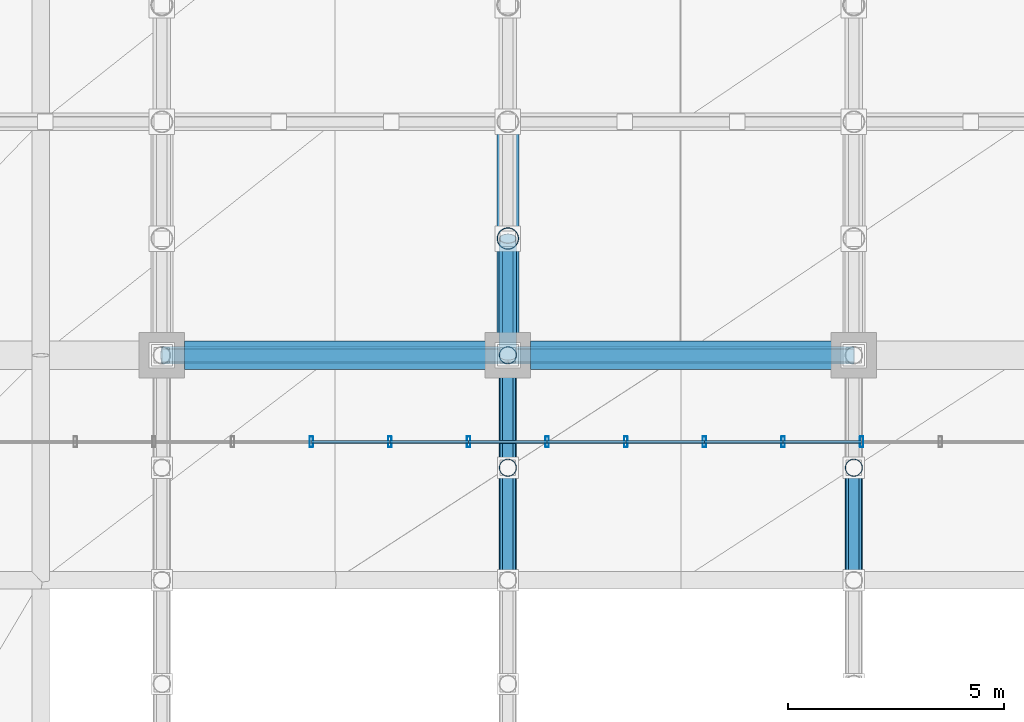
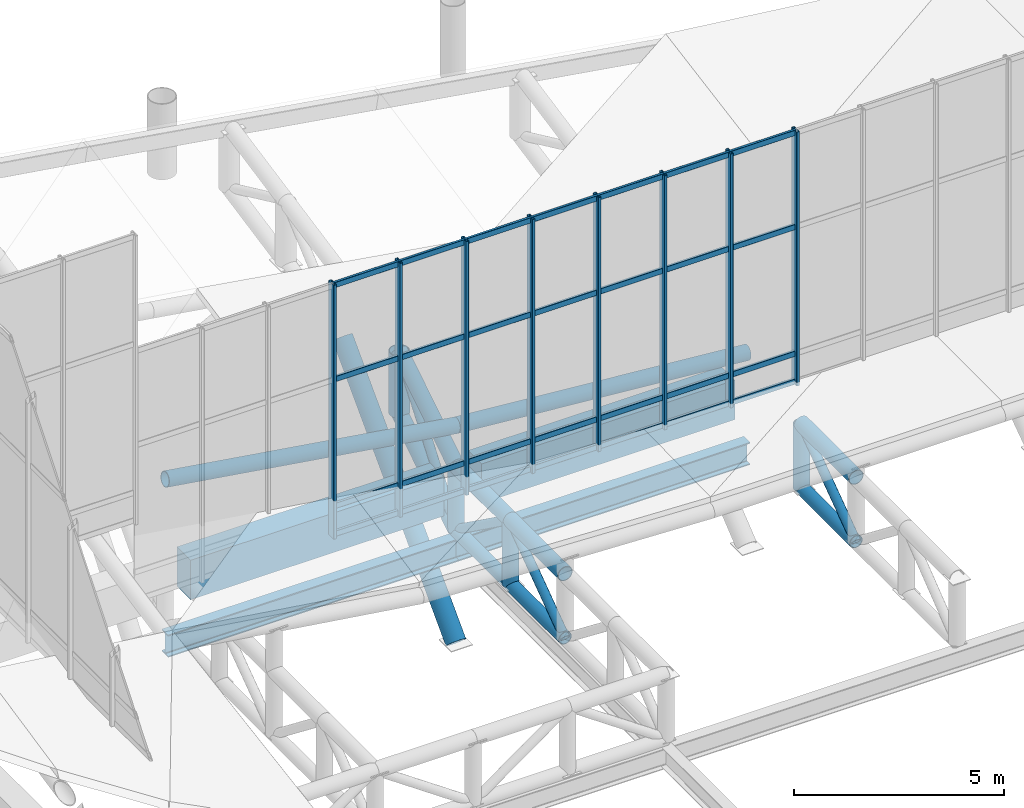
# One storey, part 46 of 137: 55 members, 4 beams, 1 element without a shape of its own.
"""IFC4 building model written with IfcOpenShell, lengths in metres."""

from ifc_helpers import new_model, si_unit, direction, frame, origin, origin_2d, place, context, subcontext, project, spatial, rectangle, hollow_rectangle, hollow_circle, i_section, extrude, material, layer, layer_set, material_profile, profile_set, type_object, element, aggregate, save


model = new_model("IFC4")

# Units and contexts
model_context = context("Model", 3, precision=1e-05, world=origin(), true_north=direction((0.0, 1.0)))
body_context = subcontext(model_context, "Body", "Model", "MODEL_VIEW")
ifc_project = project(units=[si_unit("LENGTHUNIT", "METRE"), si_unit("AREAUNIT", "SQUARE_METRE"), si_unit("VOLUMEUNIT", "CUBIC_METRE"), si_unit("PLANEANGLEUNIT", "RADIAN"), si_unit("MASSUNIT", "GRAM", prefix="KILO")], contexts=[model_context])

# Site, building, storey
site_placement = place(None, origin())
site = spatial("IfcSite", under=ifc_project, at=site_placement, CompositionType="ELEMENT")
building_placement = place(site_placement, origin())
building = spatial("IfcBuilding", under=site, at=building_placement, Name="Khorjan Park Terminus", CompositionType="ELEMENT")
storey_placement = place(building_placement, frame((0.0, 0.0, 11.4)))
storey = spatial("IfcBuildingStorey", under=building, at=storey_placement, Name="L02", CompositionType="ELEMENT", Elevation=11.4)

# Members
ifc_material_1 = material(Name="Steel S355", Category="steel")
ifc_material_profile_1 = material_profile(ifc_material_1, hollow_circle(Radius=0.1222, WallThickness=0.0125, at=origin_2d()), Name="CHS 244.5x12.5")
ifc_profile_set_1 = profile_set([ifc_material_profile_1], Name="Steel S355")
member_type_1 = type_object("IfcMemberType", Name="MB-BR-245", PredefinedType="BRACE", material=ifc_profile_set_1)
for number, where, z_axis, x_axis, name in (
    (1, (64.0, 82.8, -1.92), (0.0, 0.811830357573, 0.583893372562), (-1.0, 0.0, 0.0), "Lower shell cantilever truss diagonal (3N)"),
    (2, (64.0, 85.4, -0.05), (0.0, 0.811830357573, -0.583893372562), (-1.0, 0.0, 0.0), "Lower shell cantilever truss diagonal (3N)"),
    (3, (72.0, 82.8, -1.92), (0.0, 0.811830357573, 0.583893372562), (-1.0, 0.0, 0.0), "Lower shell cantilever truss diagonal (4N)"),
):
    element("IfcMember", number, at=place(storey_placement, frame(where, z_axis=z_axis, x_axis=x_axis)), inside=storey, type_object=member_type_1, Name=name, PredefinedType="BRACE", context=body_context, shape_type="SweptSolid", body=[
        extrude(hollow_circle(Radius=0.1222, WallThickness=0.0125, at=origin_2d()), origin(), (0.0, 0.0, 1.0), 3.2026),
    ])
ifc_material_profile_2 = material_profile(ifc_material_1, hollow_circle(Radius=0.1222, WallThickness=0.0125, at=origin_2d()), Name="CHS 244.5x12.5")
ifc_profile_set_2 = profile_set([ifc_material_profile_2], Name="Steel S355")
member_type_2 = type_object("IfcMemberType", Name="MB-BRE-245", PredefinedType="BRACE", material=ifc_profile_set_2)
member_1_placement = place(storey_placement, frame((64.0, 88.0, -1.92), z_axis=(0.0, 0.602965135538, 0.797767538401), x_axis=(-1.0, 0.0, 0.0)))
element("IfcMember", 4, at=member_1_placement, inside=storey, type_object=member_type_2, Name="Lower shell cantilever truss diagonal (3N)", PredefinedType="BRACE", context=body_context, shape_type="SweptSolid", body=[
    extrude(hollow_circle(Radius=0.1222, WallThickness=0.0125, at=origin_2d()), origin(), (0.0, 0.0, 1.0), 4.4779),
])
ifc_material_profile_3 = material_profile(ifc_material_1, hollow_circle(Radius=0.1778, WallThickness=0.016, at=origin_2d()), Name="CHS 355.6x16")
ifc_profile_set_3 = profile_set([ifc_material_profile_3], Name="Steel S355")
member_type_3 = type_object("IfcMemberType", Name="MB-CH-356", PredefinedType="CHORD", material=ifc_profile_set_3)
for number, where, z_axis, x_axis, name in (
    (5, (64.0, 82.8, -1.92), (0.0, 1.0, 0.0), (-1.0, 0.0, 0.0), "Lower shell cantilever truss bottom chord (3N)"),
    (6, (64.0, 85.4, -1.92), (0.0, 1.0, 0.0), (-1.0, 0.0, 0.0), "Lower shell cantilever truss bottom chord (3N)"),
    (7, (72.0, 82.8, -1.92), (0.0, 1.0, 0.0), (-1.0, 0.0, 0.0), "Lower shell cantilever truss bottom chord (4N)"),
):
    element("IfcMember", number, at=place(storey_placement, frame(where, z_axis=z_axis, x_axis=x_axis)), inside=storey, type_object=member_type_3, Name=name, PredefinedType="CHORD", context=body_context, shape_type="SweptSolid", body=[
        extrude(hollow_circle(Radius=0.1778, WallThickness=0.016, at=origin_2d()), origin(), (0.0, 0.0, 1.0), 2.6),
    ])
ifc_material_profile_4 = material_profile(ifc_material_1, hollow_circle(Radius=0.2032, WallThickness=0.016, at=origin_2d()), Name="CHS 406.4x16")
ifc_profile_set_4 = profile_set([ifc_material_profile_4], Name="Steel S355")
member_type_4 = type_object("IfcMemberType", Name="MB-CH-406", PredefinedType="CHORD", material=ifc_profile_set_4)
for number, where, z_axis, x_axis, name in (
    (8, (64.0, 82.8, -0.05), (0.0, 1.0, 0.0), (-1.0, 0.0, 0.0), "Lower shell cantilever truss top chord (3N)"),
    (9, (64.0, 85.4, -0.05), (0.0, 1.0, 0.0), (-1.0, 0.0, 0.0), "Lower shell cantilever truss top chord (3N)"),
    (10, (72.0, 82.8, -0.05), (0.0, 1.0, 0.0), (-1.0, 0.0, 0.0), "Lower shell cantilever truss top chord (4N)"),
):
    element("IfcMember", number, at=place(storey_placement, frame(where, z_axis=z_axis, x_axis=x_axis)), inside=storey, type_object=member_type_4, Name=name, PredefinedType="CHORD", context=body_context, shape_type="SweptSolid", body=[
        extrude(hollow_circle(Radius=0.2032, WallThickness=0.016, at=origin_2d()), origin(), (0.0, 0.0, 1.0), 2.6),
    ])
ifc_material_profile_5 = material_profile(ifc_material_1, hollow_circle(Radius=0.2032, WallThickness=0.016, at=origin_2d()), Name="CHS 406.4x16")
ifc_profile_set_5 = profile_set([ifc_material_profile_5], Name="Steel S355")
member_type_5 = type_object("IfcMemberType", Name="MB-CHE-406", PredefinedType="CHORD", material=ifc_profile_set_5)
member_2_placement = place(storey_placement, frame((56.0, 88.0, 2.3441), z_axis=(0.988324662192, 0.0, -0.152362600735), x_axis=(0.0, 1.0, 0.0)))
element("IfcMember", 11, at=member_2_placement, inside=storey, type_object=member_type_5, Name="Lower wrapping shell rim chord (108)", PredefinedType="CHORD", context=body_context, shape_type="SweptSolid", body=[
    extrude(hollow_circle(Radius=0.2032, WallThickness=0.016, at=origin_2d()), origin(), (0.0, 0.0, 1.0), 8.0945),
])
member_3_placement = place(storey_placement, frame((64.0, 88.0, 1.1108), z_axis=(0.996406958115, 0.0, -0.08469459144), x_axis=(0.0, 1.0, 0.0)))
element("IfcMember", 12, at=member_3_placement, inside=storey, type_object=member_type_5, Name="Lower wrapping shell rim chord (109)", PredefinedType="CHORD", context=body_context, shape_type="SweptSolid", body=[
    extrude(hollow_circle(Radius=0.2032, WallThickness=0.016, at=origin_2d()), origin(), (0.0, 0.0, 1.0), 8.0288),
])
member_4_placement = place(storey_placement, frame((64.0, 88.0, -0.05), z_axis=(0.0, 0.845907781047, 0.533329190991), x_axis=(-1.0, 0.0, 0.0)))
element("IfcMember", 13, at=member_4_placement, inside=storey, type_object=member_type_5, Name="Lower shell cantilever truss top chord (3N)", PredefinedType="CHORD", context=body_context, shape_type="SweptSolid", body=[
    extrude(hollow_circle(Radius=0.2032, WallThickness=0.016, at=origin_2d()), origin(), (0.0, 0.0, 1.0), 3.1918),
])
member_5_placement = place(storey_placement, frame((64.0, 88.0, -1.92), z_axis=(0.0, 0.83598754475, 0.548748416874), x_axis=(-1.0, 0.0, 0.0)))
element("IfcMember", 14, at=member_5_placement, inside=storey, type_object=member_type_5, Name="Lower shell cantilever truss bottom chord (3N)", PredefinedType="CHORD", context=body_context, shape_type="SweptSolid", body=[
    extrude(hollow_circle(Radius=0.2032, WallThickness=0.016, at=origin_2d()), origin(), (0.0, 0.0, 1.0), 3.2297),
])
ifc_material_profile_6 = material_profile(ifc_material_1, hollow_circle(Radius=0.2032, WallThickness=0.016, at=origin_2d()), Name="CHS 406.4x16")
ifc_profile_set_6 = profile_set([ifc_material_profile_6], Name="Steel S355")
member_type_6 = type_object("IfcMemberType", Name="MB-ST-406", PredefinedType="STRUT", material=ifc_profile_set_6)
for number, where, z_axis, x_axis, name in (
    (15, (64.0, 85.4, -1.92), (0.0, 0.0, 1.0), (1.0, 0.0, 0.0), "Lower shell cantilever truss post (3N)"),
    (16, (64.0, 88.0, -1.92), (0.0, 0.0, 1.0), (1.0, 0.0, 0.0), "Lower shell cantilever truss post (3N)"),
    (17, (72.0, 85.4, -1.92), (0.0, 0.0, 1.0), (1.0, 0.0, 0.0), "Lower shell cantilever truss post (4N)"),
):
    element("IfcMember", number, at=place(storey_placement, frame(where, z_axis=z_axis, x_axis=x_axis)), inside=storey, type_object=member_type_6, Name=name, PredefinedType="STRUT", context=body_context, shape_type="SweptSolid", body=[
        extrude(hollow_circle(Radius=0.2032, WallThickness=0.016, at=origin_2d()), origin(), (0.0, 0.0, 1.0), 1.87),
    ])
ifc_material_profile_7 = material_profile(ifc_material_1, hollow_circle(Radius=0.254, WallThickness=0.02, at=origin_2d()), Name="CHS 508x20")
ifc_profile_set_7 = profile_set([ifc_material_profile_7], Name="Steel S355")
member_type_7 = type_object("IfcMemberType", Name="MB-STE-508", PredefinedType="STRUT", material=ifc_profile_set_7)
member_6_placement = place(storey_placement, frame((64.0, 90.7, -0.1477), z_axis=(0.0, 0.0, 1.0), x_axis=(1.0, 0.0, 0.0)))
element("IfcMember", 18, at=member_6_placement, inside=storey, type_object=member_type_7, Name="Lower shell cantilever truss post (3N)", PredefinedType="STRUT", context=body_context, shape_type="SweptSolid", body=[
    extrude(hollow_circle(Radius=0.254, WallThickness=0.02, at=origin_2d()), origin(), (0.0, 0.0, 1.0), 1.8),
])
member_7_placement = place(storey_placement, frame((64.0, 88.0, -5.2), z_axis=(0.0, 0.694533914635, 0.719459965127), x_axis=(-1.0, 0.0, 0.0)))
element("IfcMember", 19, at=member_7_placement, inside=storey, type_object=member_type_7, Name="Lower shell raked overhang V-strut STE-51 (3N)", PredefinedType="STRUT", context=body_context, shape_type="SweptSolid", body=[
    extrude(hollow_circle(Radius=0.254, WallThickness=0.02, at=origin_2d()), origin(), (0.0, 0.0, 1.0), 7.775),
])

# Curtain wall, members
ifc_material_2 = material(Name="Anodized Bronze Aluminium", Category="aluminium")
ifc_layer = layer(ifc_material_2, 0.22)
ifc_layer_set = layer_set([ifc_layer], Name="Anodized Bronze Aluminium")
curtain_wall_type = type_object("IfcCurtainWallType", Name="CW-CONC-CLR", PredefinedType="NOTDEFINED", material=ifc_layer_set)
curtain_wall_placement = place(storey_placement, origin())
curtain_wall = element("IfcCurtainWall", 20, at=curtain_wall_placement, inside=storey, type_object=curtain_wall_type, Name="Unitized curtain wall CW-CL (CW-V2-N-CLR-02)", PredefinedType="NOTDEFINED")
ifc_material_profile_8 = material_profile(ifc_material_2, hollow_rectangle(XDim=0.08, YDim=0.25, WallThickness=0.005, InnerFilletRadius=0.005, OuterFilletRadius=0.01, at=origin_2d()), Name="ALM 80x250x5")
ifc_profile_set_8 = profile_set([ifc_material_profile_8], Name="Anodized Bronze Aluminium")
member_type_8 = type_object("IfcMemberType", Name="ML-ALM-250", PredefinedType="MULLION", material=ifc_profile_set_8)
member_8_placement = place(storey_placement, frame((72.1818, 86.0, 0.6813), z_axis=(0.0, 0.0, 1.0), x_axis=(-1.0, 0.0, 0.0)))
member_8 = element("IfcMember", 21, at=member_8_placement, type_object=member_type_8, Name="Curtain-wall mullion ML-25 (CW-V2-N-CLR-02-1)", PredefinedType="MULLION", context=body_context, shape_type="SweptSolid", body=[
    extrude(hollow_rectangle(XDim=0.08, YDim=0.25, WallThickness=0.005, InnerFilletRadius=0.005, OuterFilletRadius=0.01, at=origin_2d()), origin(), (0.0, 0.0, 1.0), 7.382),
])
member_9_placement = place(storey_placement, frame((70.3636, 86.0, 0.6813), z_axis=(0.0, 0.0, 1.0), x_axis=(-1.0, 0.0, 0.0)))
member_9 = element("IfcMember", 22, at=member_9_placement, type_object=member_type_8, Name="Curtain-wall mullion ML-25 (CW-V2-N-CLR-02-2)", PredefinedType="MULLION", context=body_context, shape_type="SweptSolid", body=[
    extrude(hollow_rectangle(XDim=0.08, YDim=0.25, WallThickness=0.005, InnerFilletRadius=0.005, OuterFilletRadius=0.01, at=origin_2d()), origin(), (0.0, 0.0, 1.0), 7.382),
])
member_10_placement = place(storey_placement, frame((68.5455, 86.0, 0.6813), z_axis=(0.0, 0.0, 1.0), x_axis=(-1.0, 0.0, 0.0)))
member_10 = element("IfcMember", 23, at=member_10_placement, type_object=member_type_8, Name="Curtain-wall mullion ML-25 (CW-V2-N-CLR-02-3)", PredefinedType="MULLION", context=body_context, shape_type="SweptSolid", body=[
    extrude(hollow_rectangle(XDim=0.08, YDim=0.25, WallThickness=0.005, InnerFilletRadius=0.005, OuterFilletRadius=0.01, at=origin_2d()), origin(), (0.0, 0.0, 1.0), 7.382),
])
member_11_placement = place(storey_placement, frame((66.7273, 86.0, 0.6813), z_axis=(0.0, 0.0, 1.0), x_axis=(-1.0, 0.0, 0.0)))
member_11 = element("IfcMember", 24, at=member_11_placement, type_object=member_type_8, Name="Curtain-wall mullion ML-25 (CW-V2-N-CLR-02-4)", PredefinedType="MULLION", context=body_context, shape_type="SweptSolid", body=[
    extrude(hollow_rectangle(XDim=0.08, YDim=0.25, WallThickness=0.005, InnerFilletRadius=0.005, OuterFilletRadius=0.01, at=origin_2d()), origin(), (0.0, 0.0, 1.0), 7.382),
])
member_12_placement = place(storey_placement, frame((64.9091, 86.0, 0.6813), z_axis=(0.0, 0.0, 1.0), x_axis=(-1.0, 0.0, 0.0)))
member_12 = element("IfcMember", 25, at=member_12_placement, type_object=member_type_8, Name="Curtain-wall mullion ML-25 (CW-V2-N-CLR-02-5)", PredefinedType="MULLION", context=body_context, shape_type="SweptSolid", body=[
    extrude(hollow_rectangle(XDim=0.08, YDim=0.25, WallThickness=0.005, InnerFilletRadius=0.005, OuterFilletRadius=0.01, at=origin_2d()), origin(), (0.0, 0.0, 1.0), 7.382),
])
member_13_placement = place(storey_placement, frame((63.0909, 86.0, 0.6813), z_axis=(0.0, 0.0, 1.0), x_axis=(-1.0, 0.0, 0.0)))
member_13 = element("IfcMember", 26, at=member_13_placement, type_object=member_type_8, Name="Curtain-wall mullion ML-25 (CW-V2-N-CLR-02-6)", PredefinedType="MULLION", context=body_context, shape_type="SweptSolid", body=[
    extrude(hollow_rectangle(XDim=0.08, YDim=0.25, WallThickness=0.005, InnerFilletRadius=0.005, OuterFilletRadius=0.01, at=origin_2d()), origin(), (0.0, 0.0, 1.0), 7.382),
])
member_14_placement = place(storey_placement, frame((61.2727, 86.0, 0.6813), z_axis=(0.0, 0.0, 1.0), x_axis=(-1.0, 0.0, 0.0)))
member_14 = element("IfcMember", 27, at=member_14_placement, type_object=member_type_8, Name="Curtain-wall mullion ML-25 (CW-V2-N-CLR-02-7)", PredefinedType="MULLION", context=body_context, shape_type="SweptSolid", body=[
    extrude(hollow_rectangle(XDim=0.08, YDim=0.25, WallThickness=0.005, InnerFilletRadius=0.005, OuterFilletRadius=0.01, at=origin_2d()), origin(), (0.0, 0.0, 1.0), 7.382),
])
member_15_placement = place(storey_placement, frame((59.4545, 86.0, 0.6813), z_axis=(0.0, 0.0, 1.0), x_axis=(-1.0, 0.0, 0.0)))
member_15 = element("IfcMember", 28, at=member_15_placement, type_object=member_type_8, Name="Curtain-wall mullion ML-25 (CW-V2-N-CLR-02-8)", PredefinedType="MULLION", context=body_context, shape_type="SweptSolid", body=[
    extrude(hollow_rectangle(XDim=0.08, YDim=0.25, WallThickness=0.005, InnerFilletRadius=0.005, OuterFilletRadius=0.01, at=origin_2d()), origin(), (0.0, 0.0, 1.0), 7.382),
])

# Beams
ifc_material_profile_9 = material_profile(ifc_material_1, i_section(OverallWidth=0.3, OverallDepth=0.65, WebThickness=0.016, FlangeThickness=0.031, FilletRadius=0.027, at=origin_2d()), Name="HEB 650")
ifc_profile_set_9 = profile_set([ifc_material_profile_9], Name="Steel S355")
beam_type_1 = type_object("IfcBeamType", Name="SP-HEB650E", PredefinedType="SPANDREL", material=ifc_profile_set_9)
for number, where, z_axis, x_axis, name in (
    (29, (56.0, 88.0, -2.425), (1.0, 0.0, 0.0), (0.0, 1.0, 0.0), "Lower shell truss support girder SP-E65 (X13)"),
    (30, (64.0, 88.0, -2.425), (1.0, 0.0, 0.0), (0.0, 1.0, 0.0), "Lower shell truss support girder SP-E65 (X14)"),
):
    element("IfcBeam", number, at=place(storey_placement, frame(where, z_axis=z_axis, x_axis=x_axis)), inside=storey, type_object=beam_type_1, Name=name, PredefinedType="SPANDREL", context=body_context, shape_type="SweptSolid", body=[
        extrude(i_section(OverallWidth=0.3, OverallDepth=0.65, WebThickness=0.016, FlangeThickness=0.031, FilletRadius=0.027, at=origin_2d()), origin(), (0.0, 0.0, 1.0), 8.0),
    ])
ifc_material_3 = material(Name="Concrete C50/60", Category="concrete")
ifc_material_profile_10 = material_profile(ifc_material_3, rectangle(XDim=0.65, YDim=1.15, at=origin_2d()), Name="RC 650x1150")
ifc_profile_set_10 = profile_set([ifc_material_profile_10], Name="Concrete C50/60")
beam_type_2 = type_object("IfcBeamType", Name="SP-RC650x1150", PredefinedType="SPANDREL", material=ifc_profile_set_10)
for number, where, z_axis, x_axis, name in (
    (31, (56.52, 88.0, -0.575), (1.0, 0.0, 0.0), (0.0, 1.0, 0.0), "Concourse lower colonnade ring beam SP-11 (L02-40)"),
    (32, (64.52, 88.0, -0.575), (1.0, 0.0, 0.0), (0.0, 1.0, 0.0), "Concourse lower colonnade ring beam SP-11 (L02-42)"),
):
    element("IfcBeam", number, at=place(storey_placement, frame(where, z_axis=z_axis, x_axis=x_axis)), inside=storey, type_object=beam_type_2, Name=name, PredefinedType="SPANDREL", context=body_context, shape_type="SweptSolid", body=[
        extrude(rectangle(XDim=0.65, YDim=1.15, at=origin_2d()), origin(), (0.0, 0.0, 1.0), 6.96),
    ])

# Member
ifc_material_profile_11 = material_profile(ifc_material_2, hollow_rectangle(XDim=0.07, YDim=0.16, WallThickness=0.004, InnerFilletRadius=0.004, OuterFilletRadius=0.008, at=origin_2d()), Name="ALT 70x160x4")
ifc_profile_set_11 = profile_set([ifc_material_profile_11], Name="Anodized Bronze Aluminium")
member_type_9 = type_object("IfcMemberType", Name="TR-ALT-160", PredefinedType="USERDEFINED", material=ifc_profile_set_11)
member_16_placement = place(storey_placement, frame((72.1818, 86.0, 0.7563), z_axis=(-1.0, 0.0, 0.0), x_axis=(0.0, -1.0, 0.0)))
member_16 = element("IfcMember", 33, at=member_16_placement, type_object=member_type_9, Name="Curtain-wall transom TR-16 (CW-V2-N-CLR-02-1-1)", ObjectType="TRANSOM", PredefinedType="USERDEFINED", context=body_context, shape_type="SweptSolid", body=[
    extrude(hollow_rectangle(XDim=0.07, YDim=0.16, WallThickness=0.004, InnerFilletRadius=0.004, OuterFilletRadius=0.008, at=origin_2d()), origin(), (0.0, 0.0, 1.0), 1.8182),
])

member_17_placement = place(storey_placement, frame((72.1818, 86.0, 1.5663), z_axis=(-1.0, 0.0, 0.0), x_axis=(0.0, -1.0, 0.0)))
member_17 = element("IfcMember", 34, at=member_17_placement, type_object=member_type_9, Name="Curtain-wall transom TR-16 (CW-V2-N-CLR-02-1-2)", ObjectType="TRANSOM", PredefinedType="USERDEFINED", context=body_context, shape_type="SweptSolid", body=[
    extrude(hollow_rectangle(XDim=0.07, YDim=0.16, WallThickness=0.004, InnerFilletRadius=0.004, OuterFilletRadius=0.008, at=origin_2d()), origin(), (0.0, 0.0, 1.0), 1.8182),
])

member_18_placement = place(storey_placement, frame((72.1818, 86.0, 5.2497), z_axis=(-1.0, 0.0, 0.0), x_axis=(0.0, -1.0, 0.0)))
member_18 = element("IfcMember", 35, at=member_18_placement, type_object=member_type_9, Name="Curtain-wall transom TR-16 (CW-V2-N-CLR-02-1-3)", ObjectType="TRANSOM", PredefinedType="USERDEFINED", context=body_context, shape_type="SweptSolid", body=[
    extrude(hollow_rectangle(XDim=0.07, YDim=0.16, WallThickness=0.004, InnerFilletRadius=0.004, OuterFilletRadius=0.008, at=origin_2d()), origin(), (0.0, 0.0, 1.0), 1.8182),
])

member_19_placement = place(storey_placement, frame((72.1818, 86.0, 7.9883), z_axis=(-1.0, 0.0, 0.0), x_axis=(0.0, -1.0, 0.0)))
member_19 = element("IfcMember", 36, at=member_19_placement, type_object=member_type_9, Name="Curtain-wall transom TR-16 (CW-V2-N-CLR-02-1-4)", ObjectType="TRANSOM", PredefinedType="USERDEFINED", context=body_context, shape_type="SweptSolid", body=[
    extrude(hollow_rectangle(XDim=0.07, YDim=0.16, WallThickness=0.004, InnerFilletRadius=0.004, OuterFilletRadius=0.008, at=origin_2d()), origin(), (0.0, 0.0, 1.0), 1.8182),
])

member_20_placement = place(storey_placement, frame((70.3636, 86.0, 0.7563), z_axis=(-1.0, 0.0, 0.0), x_axis=(0.0, -1.0, 0.0)))
member_20 = element("IfcMember", 37, at=member_20_placement, type_object=member_type_9, Name="Curtain-wall transom TR-16 (CW-V2-N-CLR-02-2-1)", ObjectType="TRANSOM", PredefinedType="USERDEFINED", context=body_context, shape_type="SweptSolid", body=[
    extrude(hollow_rectangle(XDim=0.07, YDim=0.16, WallThickness=0.004, InnerFilletRadius=0.004, OuterFilletRadius=0.008, at=origin_2d()), origin(), (0.0, 0.0, 1.0), 1.8181),
])

member_21_placement = place(storey_placement, frame((70.3636, 86.0, 1.5663), z_axis=(-1.0, 0.0, 0.0), x_axis=(0.0, -1.0, 0.0)))
member_21 = element("IfcMember", 38, at=member_21_placement, type_object=member_type_9, Name="Curtain-wall transom TR-16 (CW-V2-N-CLR-02-2-2)", ObjectType="TRANSOM", PredefinedType="USERDEFINED", context=body_context, shape_type="SweptSolid", body=[
    extrude(hollow_rectangle(XDim=0.07, YDim=0.16, WallThickness=0.004, InnerFilletRadius=0.004, OuterFilletRadius=0.008, at=origin_2d()), origin(), (0.0, 0.0, 1.0), 1.8181),
])

member_22_placement = place(storey_placement, frame((70.3636, 86.0, 5.2497), z_axis=(-1.0, 0.0, 0.0), x_axis=(0.0, -1.0, 0.0)))
member_22 = element("IfcMember", 39, at=member_22_placement, type_object=member_type_9, Name="Curtain-wall transom TR-16 (CW-V2-N-CLR-02-2-3)", ObjectType="TRANSOM", PredefinedType="USERDEFINED", context=body_context, shape_type="SweptSolid", body=[
    extrude(hollow_rectangle(XDim=0.07, YDim=0.16, WallThickness=0.004, InnerFilletRadius=0.004, OuterFilletRadius=0.008, at=origin_2d()), origin(), (0.0, 0.0, 1.0), 1.8181),
])

member_23_placement = place(storey_placement, frame((70.3636, 86.0, 7.9883), z_axis=(-1.0, 0.0, 0.0), x_axis=(0.0, -1.0, 0.0)))
member_23 = element("IfcMember", 40, at=member_23_placement, type_object=member_type_9, Name="Curtain-wall transom TR-16 (CW-V2-N-CLR-02-2-4)", ObjectType="TRANSOM", PredefinedType="USERDEFINED", context=body_context, shape_type="SweptSolid", body=[
    extrude(hollow_rectangle(XDim=0.07, YDim=0.16, WallThickness=0.004, InnerFilletRadius=0.004, OuterFilletRadius=0.008, at=origin_2d()), origin(), (0.0, 0.0, 1.0), 1.8181),
])

member_24_placement = place(storey_placement, frame((68.5455, 86.0, 0.7563), z_axis=(-1.0, 0.0, 0.0), x_axis=(0.0, -1.0, 0.0)))
member_24 = element("IfcMember", 41, at=member_24_placement, type_object=member_type_9, Name="Curtain-wall transom TR-16 (CW-V2-N-CLR-02-3-1)", ObjectType="TRANSOM", PredefinedType="USERDEFINED", context=body_context, shape_type="SweptSolid", body=[
    extrude(hollow_rectangle(XDim=0.07, YDim=0.16, WallThickness=0.004, InnerFilletRadius=0.004, OuterFilletRadius=0.008, at=origin_2d()), origin(), (0.0, 0.0, 1.0), 1.8182),
])

member_25_placement = place(storey_placement, frame((68.5455, 86.0, 1.5663), z_axis=(-1.0, 0.0, 0.0), x_axis=(0.0, -1.0, 0.0)))
member_25 = element("IfcMember", 42, at=member_25_placement, type_object=member_type_9, Name="Curtain-wall transom TR-16 (CW-V2-N-CLR-02-3-2)", ObjectType="TRANSOM", PredefinedType="USERDEFINED", context=body_context, shape_type="SweptSolid", body=[
    extrude(hollow_rectangle(XDim=0.07, YDim=0.16, WallThickness=0.004, InnerFilletRadius=0.004, OuterFilletRadius=0.008, at=origin_2d()), origin(), (0.0, 0.0, 1.0), 1.8182),
])

member_26_placement = place(storey_placement, frame((68.5455, 86.0, 5.2497), z_axis=(-1.0, 0.0, 0.0), x_axis=(0.0, -1.0, 0.0)))
member_26 = element("IfcMember", 43, at=member_26_placement, type_object=member_type_9, Name="Curtain-wall transom TR-16 (CW-V2-N-CLR-02-3-3)", ObjectType="TRANSOM", PredefinedType="USERDEFINED", context=body_context, shape_type="SweptSolid", body=[
    extrude(hollow_rectangle(XDim=0.07, YDim=0.16, WallThickness=0.004, InnerFilletRadius=0.004, OuterFilletRadius=0.008, at=origin_2d()), origin(), (0.0, 0.0, 1.0), 1.8182),
])

member_27_placement = place(storey_placement, frame((68.5455, 86.0, 7.9883), z_axis=(-1.0, 0.0, 0.0), x_axis=(0.0, -1.0, 0.0)))
member_27 = element("IfcMember", 44, at=member_27_placement, type_object=member_type_9, Name="Curtain-wall transom TR-16 (CW-V2-N-CLR-02-3-4)", ObjectType="TRANSOM", PredefinedType="USERDEFINED", context=body_context, shape_type="SweptSolid", body=[
    extrude(hollow_rectangle(XDim=0.07, YDim=0.16, WallThickness=0.004, InnerFilletRadius=0.004, OuterFilletRadius=0.008, at=origin_2d()), origin(), (0.0, 0.0, 1.0), 1.8182),
])

member_28_placement = place(storey_placement, frame((66.7273, 86.0, 0.7563), z_axis=(-1.0, 0.0, 0.0), x_axis=(0.0, -1.0, 0.0)))
member_28 = element("IfcMember", 45, at=member_28_placement, type_object=member_type_9, Name="Curtain-wall transom TR-16 (CW-V2-N-CLR-02-4-1)", ObjectType="TRANSOM", PredefinedType="USERDEFINED", context=body_context, shape_type="SweptSolid", body=[
    extrude(hollow_rectangle(XDim=0.07, YDim=0.16, WallThickness=0.004, InnerFilletRadius=0.004, OuterFilletRadius=0.008, at=origin_2d()), origin(), (0.0, 0.0, 1.0), 1.8182),
])

member_29_placement = place(storey_placement, frame((66.7273, 86.0, 1.5663), z_axis=(-1.0, 0.0, 0.0), x_axis=(0.0, -1.0, 0.0)))
member_29 = element("IfcMember", 46, at=member_29_placement, type_object=member_type_9, Name="Curtain-wall transom TR-16 (CW-V2-N-CLR-02-4-2)", ObjectType="TRANSOM", PredefinedType="USERDEFINED", context=body_context, shape_type="SweptSolid", body=[
    extrude(hollow_rectangle(XDim=0.07, YDim=0.16, WallThickness=0.004, InnerFilletRadius=0.004, OuterFilletRadius=0.008, at=origin_2d()), origin(), (0.0, 0.0, 1.0), 1.8182),
])

member_30_placement = place(storey_placement, frame((66.7273, 86.0, 5.2497), z_axis=(-1.0, 0.0, 0.0), x_axis=(0.0, -1.0, 0.0)))
member_30 = element("IfcMember", 47, at=member_30_placement, type_object=member_type_9, Name="Curtain-wall transom TR-16 (CW-V2-N-CLR-02-4-3)", ObjectType="TRANSOM", PredefinedType="USERDEFINED", context=body_context, shape_type="SweptSolid", body=[
    extrude(hollow_rectangle(XDim=0.07, YDim=0.16, WallThickness=0.004, InnerFilletRadius=0.004, OuterFilletRadius=0.008, at=origin_2d()), origin(), (0.0, 0.0, 1.0), 1.8182),
])

member_31_placement = place(storey_placement, frame((66.7273, 86.0, 7.9883), z_axis=(-1.0, 0.0, 0.0), x_axis=(0.0, -1.0, 0.0)))
member_31 = element("IfcMember", 48, at=member_31_placement, type_object=member_type_9, Name="Curtain-wall transom TR-16 (CW-V2-N-CLR-02-4-4)", ObjectType="TRANSOM", PredefinedType="USERDEFINED", context=body_context, shape_type="SweptSolid", body=[
    extrude(hollow_rectangle(XDim=0.07, YDim=0.16, WallThickness=0.004, InnerFilletRadius=0.004, OuterFilletRadius=0.008, at=origin_2d()), origin(), (0.0, 0.0, 1.0), 1.8182),
])

member_32_placement = place(storey_placement, frame((64.9091, 86.0, 0.7563), z_axis=(-1.0, 0.0, 0.0), x_axis=(0.0, -1.0, 0.0)))
member_32 = element("IfcMember", 49, at=member_32_placement, type_object=member_type_9, Name="Curtain-wall transom TR-16 (CW-V2-N-CLR-02-5-1)", ObjectType="TRANSOM", PredefinedType="USERDEFINED", context=body_context, shape_type="SweptSolid", body=[
    extrude(hollow_rectangle(XDim=0.07, YDim=0.16, WallThickness=0.004, InnerFilletRadius=0.004, OuterFilletRadius=0.008, at=origin_2d()), origin(), (0.0, 0.0, 1.0), 1.8182),
])

member_33_placement = place(storey_placement, frame((64.9091, 86.0, 1.5663), z_axis=(-1.0, 0.0, 0.0), x_axis=(0.0, -1.0, 0.0)))
member_33 = element("IfcMember", 50, at=member_33_placement, type_object=member_type_9, Name="Curtain-wall transom TR-16 (CW-V2-N-CLR-02-5-2)", ObjectType="TRANSOM", PredefinedType="USERDEFINED", context=body_context, shape_type="SweptSolid", body=[
    extrude(hollow_rectangle(XDim=0.07, YDim=0.16, WallThickness=0.004, InnerFilletRadius=0.004, OuterFilletRadius=0.008, at=origin_2d()), origin(), (0.0, 0.0, 1.0), 1.8182),
])

member_34_placement = place(storey_placement, frame((64.9091, 86.0, 5.2497), z_axis=(-1.0, 0.0, 0.0), x_axis=(0.0, -1.0, 0.0)))
member_34 = element("IfcMember", 51, at=member_34_placement, type_object=member_type_9, Name="Curtain-wall transom TR-16 (CW-V2-N-CLR-02-5-3)", ObjectType="TRANSOM", PredefinedType="USERDEFINED", context=body_context, shape_type="SweptSolid", body=[
    extrude(hollow_rectangle(XDim=0.07, YDim=0.16, WallThickness=0.004, InnerFilletRadius=0.004, OuterFilletRadius=0.008, at=origin_2d()), origin(), (0.0, 0.0, 1.0), 1.8182),
])

member_35_placement = place(storey_placement, frame((64.9091, 86.0, 7.9883), z_axis=(-1.0, 0.0, 0.0), x_axis=(0.0, -1.0, 0.0)))
member_35 = element("IfcMember", 52, at=member_35_placement, type_object=member_type_9, Name="Curtain-wall transom TR-16 (CW-V2-N-CLR-02-5-4)", ObjectType="TRANSOM", PredefinedType="USERDEFINED", context=body_context, shape_type="SweptSolid", body=[
    extrude(hollow_rectangle(XDim=0.07, YDim=0.16, WallThickness=0.004, InnerFilletRadius=0.004, OuterFilletRadius=0.008, at=origin_2d()), origin(), (0.0, 0.0, 1.0), 1.8182),
])

member_36_placement = place(storey_placement, frame((63.0909, 86.0, 0.7563), z_axis=(-1.0, 0.0, 0.0), x_axis=(0.0, -1.0, 0.0)))
member_36 = element("IfcMember", 53, at=member_36_placement, type_object=member_type_9, Name="Curtain-wall transom TR-16 (CW-V2-N-CLR-02-6-1)", ObjectType="TRANSOM", PredefinedType="USERDEFINED", context=body_context, shape_type="SweptSolid", body=[
    extrude(hollow_rectangle(XDim=0.07, YDim=0.16, WallThickness=0.004, InnerFilletRadius=0.004, OuterFilletRadius=0.008, at=origin_2d()), origin(), (0.0, 0.0, 1.0), 1.8182),
])

member_37_placement = place(storey_placement, frame((63.0909, 86.0, 1.5663), z_axis=(-1.0, 0.0, 0.0), x_axis=(0.0, -1.0, 0.0)))
member_37 = element("IfcMember", 54, at=member_37_placement, type_object=member_type_9, Name="Curtain-wall transom TR-16 (CW-V2-N-CLR-02-6-2)", ObjectType="TRANSOM", PredefinedType="USERDEFINED", context=body_context, shape_type="SweptSolid", body=[
    extrude(hollow_rectangle(XDim=0.07, YDim=0.16, WallThickness=0.004, InnerFilletRadius=0.004, OuterFilletRadius=0.008, at=origin_2d()), origin(), (0.0, 0.0, 1.0), 1.8182),
])

member_38_placement = place(storey_placement, frame((63.0909, 86.0, 5.2497), z_axis=(-1.0, 0.0, 0.0), x_axis=(0.0, -1.0, 0.0)))
member_38 = element("IfcMember", 55, at=member_38_placement, type_object=member_type_9, Name="Curtain-wall transom TR-16 (CW-V2-N-CLR-02-6-3)", ObjectType="TRANSOM", PredefinedType="USERDEFINED", context=body_context, shape_type="SweptSolid", body=[
    extrude(hollow_rectangle(XDim=0.07, YDim=0.16, WallThickness=0.004, InnerFilletRadius=0.004, OuterFilletRadius=0.008, at=origin_2d()), origin(), (0.0, 0.0, 1.0), 1.8182),
])

member_39_placement = place(storey_placement, frame((63.0909, 86.0, 7.9883), z_axis=(-1.0, 0.0, 0.0), x_axis=(0.0, -1.0, 0.0)))
member_39 = element("IfcMember", 56, at=member_39_placement, type_object=member_type_9, Name="Curtain-wall transom TR-16 (CW-V2-N-CLR-02-6-4)", ObjectType="TRANSOM", PredefinedType="USERDEFINED", context=body_context, shape_type="SweptSolid", body=[
    extrude(hollow_rectangle(XDim=0.07, YDim=0.16, WallThickness=0.004, InnerFilletRadius=0.004, OuterFilletRadius=0.008, at=origin_2d()), origin(), (0.0, 0.0, 1.0), 1.8182),
])

member_40_placement = place(storey_placement, frame((61.2727, 86.0, 0.7563), z_axis=(-1.0, 0.0, 0.0), x_axis=(0.0, -1.0, 0.0)))
member_40 = element("IfcMember", 57, at=member_40_placement, type_object=member_type_9, Name="Curtain-wall transom TR-16 (CW-V2-N-CLR-02-7-1)", ObjectType="TRANSOM", PredefinedType="USERDEFINED", context=body_context, shape_type="SweptSolid", body=[
    extrude(hollow_rectangle(XDim=0.07, YDim=0.16, WallThickness=0.004, InnerFilletRadius=0.004, OuterFilletRadius=0.008, at=origin_2d()), origin(), (0.0, 0.0, 1.0), 1.8182),
])

member_41_placement = place(storey_placement, frame((61.2727, 86.0, 1.5663), z_axis=(-1.0, 0.0, 0.0), x_axis=(0.0, -1.0, 0.0)))
member_41 = element("IfcMember", 58, at=member_41_placement, type_object=member_type_9, Name="Curtain-wall transom TR-16 (CW-V2-N-CLR-02-7-2)", ObjectType="TRANSOM", PredefinedType="USERDEFINED", context=body_context, shape_type="SweptSolid", body=[
    extrude(hollow_rectangle(XDim=0.07, YDim=0.16, WallThickness=0.004, InnerFilletRadius=0.004, OuterFilletRadius=0.008, at=origin_2d()), origin(), (0.0, 0.0, 1.0), 1.8182),
])

member_42_placement = place(storey_placement, frame((61.2727, 86.0, 5.2497), z_axis=(-1.0, 0.0, 0.0), x_axis=(0.0, -1.0, 0.0)))
member_42 = element("IfcMember", 59, at=member_42_placement, type_object=member_type_9, Name="Curtain-wall transom TR-16 (CW-V2-N-CLR-02-7-3)", ObjectType="TRANSOM", PredefinedType="USERDEFINED", context=body_context, shape_type="SweptSolid", body=[
    extrude(hollow_rectangle(XDim=0.07, YDim=0.16, WallThickness=0.004, InnerFilletRadius=0.004, OuterFilletRadius=0.008, at=origin_2d()), origin(), (0.0, 0.0, 1.0), 1.8182),
])

member_43_placement = place(storey_placement, frame((61.2727, 86.0, 7.9883), z_axis=(-1.0, 0.0, 0.0), x_axis=(0.0, -1.0, 0.0)))
member_43 = element("IfcMember", 60, at=member_43_placement, type_object=member_type_9, Name="Curtain-wall transom TR-16 (CW-V2-N-CLR-02-7-4)", ObjectType="TRANSOM", PredefinedType="USERDEFINED", context=body_context, shape_type="SweptSolid", body=[
    extrude(hollow_rectangle(XDim=0.07, YDim=0.16, WallThickness=0.004, InnerFilletRadius=0.004, OuterFilletRadius=0.008, at=origin_2d()), origin(), (0.0, 0.0, 1.0), 1.8182),
])

aggregate(curtain_wall, [member_8, member_9, member_10, member_11, member_12, member_13, member_14, member_15, member_16, member_17, member_18, member_19, member_20, member_21, member_22, member_23, member_24, member_25, member_26, member_27, member_28, member_29, member_30, member_31, member_32, member_33, member_34, member_35, member_36, member_37, member_38, member_39, member_40, member_41, member_42, member_43])

save(model, "model.ifc")
